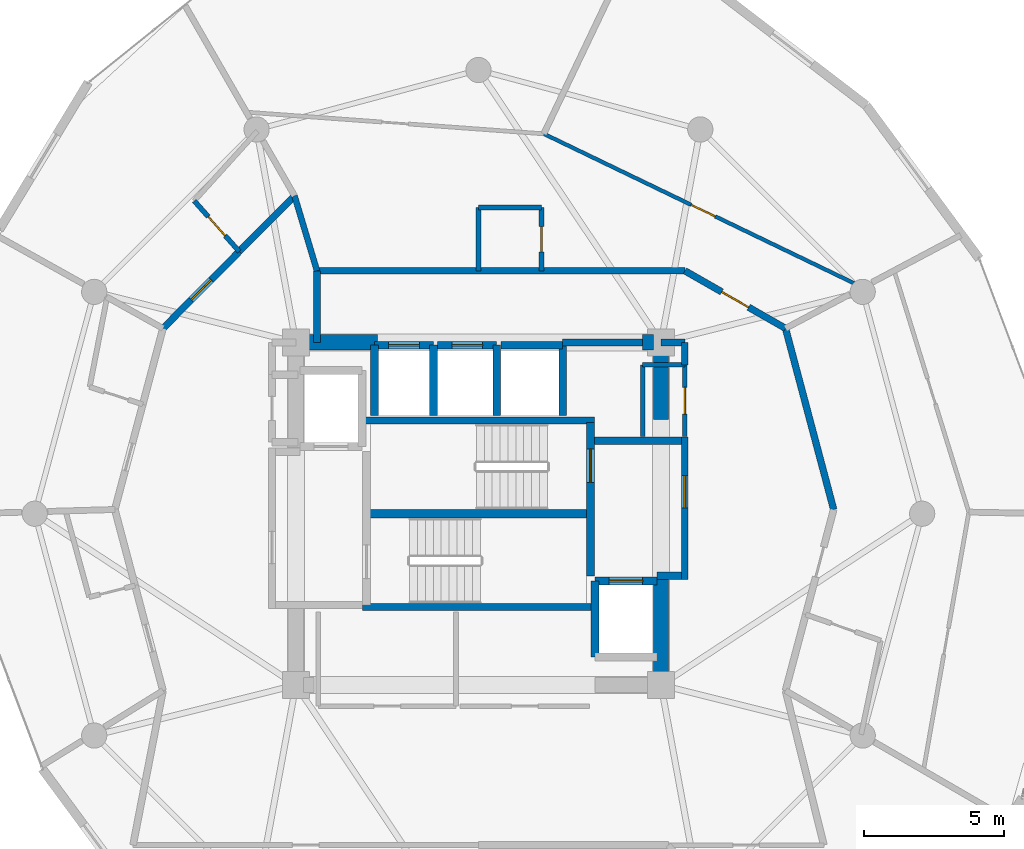
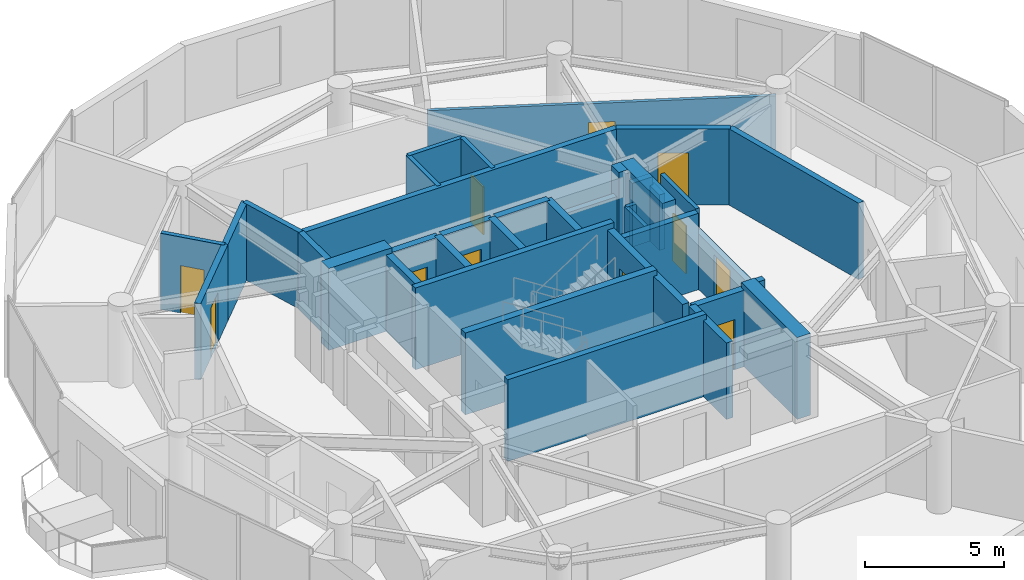
# One storey, part 17 of 20: 38 walls, 11 doors, 11 openings.
"""IFC4 building model written with IfcOpenShell, lengths in metres."""

import ifcopenshell
import ifcopenshell.guid

model = None  # the IFC model being written
_history = None  # IfcOwnerHistory: only IFC2X3 demands one
_inside = {}  # id of a spatial element -> (the spatial element, [elements in it])
_under = {}  # id of a project, library or spatial element -> (it, [spatial elements below it])
_declared = {}  # id of a project -> (the project, [libraries it declares])
_typed = {}  # id of a type object -> (the type object, [elements of that type])
_made_of = {}  # id of a material, layer set ... -> (it, [elements and type objects made of it])


def new_model(schema):
    """Start an empty IFC model of exactly this schema.

    Asked for "IFC4X3", IfcOpenShell would pick the latest addendum, in which some entities
    have other attributes; the version numbers below select the first issue.
    IFC2X3 requires an IfcOwnerHistory on every rooted entity: one is made here for all.
    """
    global model, _history
    if schema == "IFC4X3":
        model = ifcopenshell.file(schema_version=(4, 3, 0, 0))
    else:
        model = ifcopenshell.file(schema=schema)
    _inside.clear()
    _under.clear()
    _declared.clear()
    _typed.clear()
    _made_of.clear()
    _history = None
    if model.schema == "IFC2X3":
        org = make("IfcOrganization", Name="unknown")
        user = make(
            "IfcPersonAndOrganization",
            ThePerson=make("IfcPerson", FamilyName="unknown"),
            TheOrganization=org,
        )
        app = make(
            "IfcApplication",
            ApplicationDeveloper=org,
            Version="unknown",
            ApplicationFullName="unknown",
            ApplicationIdentifier="unknown",
        )
        _history = make(
            "IfcOwnerHistory",
            OwningUser=user,
            OwningApplication=app,
            ChangeAction="ADDED",
            CreationDate=0,
        )
    return model


def make(cls, **values):
    """One entity of the class cls with the attributes given. An attribute that is None is left unset."""
    return model.create_entity(
        cls, **{name: value for name, value in values.items() if value is not None}
    )


def rooted(cls, **values):
    """An entity with a GlobalId (a new one), such as an element, a storey or a relation."""
    return make(cls, GlobalId=ifcopenshell.guid.new(), OwnerHistory=_history, **values)


def si_unit(unit_type, name, prefix=None):
    """IfcSIUnit, for example si_unit("LENGTHUNIT", "METRE", prefix="MILLI")."""
    return make("IfcSIUnit", UnitType=unit_type, Prefix=prefix, Name=name)


def assignment(units):
    """IfcUnitAssignment: the units of a project."""
    return None if units is None else make("IfcUnitAssignment", Units=units)


def point(xyz):
    """IfcCartesianPoint."""
    return None if xyz is None else make("IfcCartesianPoint", Coordinates=xyz)


def direction(xyz):
    """IfcDirection."""
    return None if xyz is None else make("IfcDirection", DirectionRatios=xyz)


def frame(location, z_axis=None, x_axis=None):
    """IfcAxis2Placement3D, a coordinate frame: its origin and axes. An axis left out is left unset."""
    return make(
        "IfcAxis2Placement3D",
        Location=point(location),
        Axis=direction(z_axis),
        RefDirection=direction(x_axis),
    )


def frame_2d(location, x_axis=None):
    """IfcAxis2Placement2D, a coordinate frame in the plane: its origin and x axis."""
    return make(
        "IfcAxis2Placement2D", Location=point(location), RefDirection=direction(x_axis)
    )


def origin():
    """The frame at (0, 0, 0) with its axes left unset."""
    return frame((0.0, 0.0, 0.0))


def place(relative_to, where):
    """IfcLocalPlacement: puts the frame where relative to a parent placement (None: the world)."""
    return make(
        "IfcLocalPlacement", PlacementRelTo=relative_to, RelativePlacement=where
    )


def context(
    kind, dimensions, precision=None, world=None, true_north=None, identifier=None
):
    """IfcGeometricRepresentationContext, for example the 3D "Model" context."""
    return make(
        "IfcGeometricRepresentationContext",
        ContextIdentifier=identifier,
        ContextType=kind,
        CoordinateSpaceDimension=dimensions,
        Precision=precision,
        WorldCoordinateSystem=world,
        TrueNorth=true_north,
    )


def subcontext(parent, identifier, kind, view, scale=None):
    """IfcGeometricRepresentationSubContext, for example "Body" below "Model"."""
    return make(
        "IfcGeometricRepresentationSubContext",
        ContextIdentifier=identifier,
        ContextType=kind,
        ParentContext=parent,
        TargetScale=scale,
        TargetView=view,
    )


def project(units=None, contexts=None):
    """IfcProject with its units and contexts."""
    return rooted(
        "IfcProject",
        Name="project",
        RepresentationContexts=contexts,
        UnitsInContext=assignment(units),
    )


def spatial(cls, under=None, at=None, **own):
    """A site, building, storey or space (cls), placed at a placement, below another one or the project."""
    s = rooted(cls, ObjectPlacement=at, **own)
    if under is not None:
        _under.setdefault(under.id(), (under, []))[1].append(s)
    return s


def profile(cls, at=None, kind="AREA", **sizes):
    """A parametric profile (cls). Its sizes go by their IFC names, for example OverallWidth=200.0."""
    return make(cls, ProfileType=kind, Position=at, **sizes)


def rectangle(**sizes):
    """IfcRectangleProfileDef."""
    return profile("IfcRectangleProfileDef", **sizes)


def extrude(swept, where, along, depth):
    """IfcExtrudedAreaSolid: the profile swept, set in the frame where, extruded along a direction by depth."""
    return make(
        "IfcExtrudedAreaSolid",
        SweptArea=swept,
        Position=where,
        ExtrudedDirection=direction(along),
        Depth=depth,
    )


def shape(context_of_items, identifier, shape_type, items):
    """IfcShapeRepresentation: the items that make up one representation, for example the "Body"."""
    return make(
        "IfcShapeRepresentation",
        ContextOfItems=context_of_items,
        RepresentationIdentifier=identifier,
        RepresentationType=shape_type,
        Items=items,
    )


def material(Name=None, Category=None):
    """IfcMaterial."""
    return make("IfcMaterial", Name=Name, Category=Category)


def layer(
    of_material, thickness, ventilated=None, Name=None, Category=None, Priority=None
):
    """IfcMaterialLayer: one layer of a wall or slab, of a material (None: an air gap)."""
    return make(
        "IfcMaterialLayer",
        Material=of_material,
        LayerThickness=thickness,
        IsVentilated=ventilated,
        Name=Name,
        Category=Category,
        Priority=Priority,
    )


def layer_set(layers, Name=None):
    """IfcMaterialLayerSet."""
    return make("IfcMaterialLayerSet", MaterialLayers=layers, LayerSetName=Name)


def made_of(thing, what):
    """Note that an element or type object is made of a material, layer set ...; save() writes the relation."""
    if what is not None:
        _made_of.setdefault(what.id(), (what, []))[1].append(thing)
    return thing


def type_object(cls, material=None, **own):
    """A type object (cls), such as IfcWallType, which elements share."""
    return made_of(rooted(cls, **own), material)


def element(
    cls,
    number,
    at=None,
    inside=None,
    cuts=None,
    type_object=None,
    material=None,
    context=None,
    identifier="Body",
    shape_type=None,
    held_by="IfcProductDefinitionShape",
    body=None,
    shapes=None,
    **own,
):
    """One element of the class cls, such as IfcWall. Its Tag is "e" and its number.

    at: its placement. inside: the storey or other place that contains it. cuts: it is an
    opening in that element (IfcRelVoidsElement). A single representation is given by context,
    identifier, shape_type and body (its items); several are given by shapes. held_by: the class
    of the entity that holds the representations. save() writes the other relations.
    """
    e = rooted(cls, Tag="e%d" % number, ObjectPlacement=at, **own)
    if body is not None:
        shapes = [shape(context, identifier, shape_type, body)]
    if shapes is not None:
        e.Representation = make(held_by, Representations=shapes)
    if inside is not None:
        _inside.setdefault(inside.id(), (inside, []))[1].append(e)
    if cuts is not None:
        rooted(
            "IfcRelVoidsElement", RelatingBuildingElement=cuts, RelatedOpeningElement=e
        )
    if type_object is not None:
        _typed.setdefault(type_object.id(), (type_object, []))[1].append(e)
    return made_of(e, material)


def fill(opening, filler):
    """IfcRelFillsElement: the door or window that sits in an opening."""
    return rooted(
        "IfcRelFillsElement",
        RelatingOpeningElement=opening,
        RelatedBuildingElement=filler,
    )


def aggregate(whole, parts):
    """IfcRelAggregates: a whole, such as a stair, and the parts it consists of."""
    return rooted("IfcRelAggregates", RelatingObject=whole, RelatedObjects=parts)


def save(model, path):
    """Write the relations noted so far, then the file.

    IfcRelAggregates (storeys below a building ...), IfcRelContainedInSpatialStructure (elements
    in a storey), IfcRelDefinesByType, IfcRelAssociatesMaterial and IfcRelDeclares: one each for
    every whole, place, type object, material and project.
    """
    for whole, parts in _under.values():
        aggregate(whole, parts)
    for where, things in _inside.values():
        rooted(
            "IfcRelContainedInSpatialStructure",
            RelatedElements=things,
            RelatingStructure=where,
        )
    for kind, things in _typed.values():
        rooted("IfcRelDefinesByType", RelatedObjects=things, RelatingType=kind)
    for what, things in _made_of.values():
        rooted("IfcRelAssociatesMaterial", RelatedObjects=things, RelatingMaterial=what)
    for by, libraries in _declared.values():
        rooted("IfcRelDeclares", RelatingContext=by, RelatedDefinitions=libraries)
    model.write(path)


model = new_model("IFC4")

# Units and contexts
model_context = context("Model", 3, precision=1e-05, world=origin(), true_north=direction((0.0, 1.0)))
body_context = subcontext(model_context, "Body", "Model", "MODEL_VIEW")
ifc_project = project(units=[si_unit("LENGTHUNIT", "METRE"), si_unit("AREAUNIT", "SQUARE_METRE"), si_unit("VOLUMEUNIT", "CUBIC_METRE"), si_unit("PLANEANGLEUNIT", "RADIAN"), si_unit("MASSUNIT", "GRAM", prefix="KILO")], contexts=[model_context])

# Site, building, storey
site_placement = place(None, origin())
site = spatial("IfcSite", under=ifc_project, at=site_placement, CompositionType="ELEMENT")
building_placement = place(site_placement, origin())
building = spatial("IfcBuilding", under=site, at=building_placement, Name="Solvirekh Grand Hotel", CompositionType="ELEMENT")
storey_placement = place(building_placement, frame((0.0, 0.0, 194.800048828125)))
storey = spatial("IfcBuildingStorey", under=building, at=storey_placement, Name="L50", CompositionType="ELEMENT", Elevation=194.800048828125)

# Walls
ifc_material_1 = material(Name="Concrete C50/60", Category="concrete")
ifc_layer_1 = layer(ifc_material_1, 0.35009765625)
ifc_layer_set_1 = layer_set([ifc_layer_1], Name="Concrete C50/60")
wall_type_1 = type_object("IfcWallType", Name="CoreDivWall_RC350", PredefinedType="SOLIDWALL", material=ifc_layer_set_1)
for number, where, z_axis, x_axis, name in (
    (1, (-4.1298828125, -3.324951171875, 0.0), (0.0, 0.0, 1.0), (1.0, 0.0, 0.0), "L50 core stair box wall ST-S"),
    (2, (-4.1298828125, 3.324951171875, 0.0), (0.0, 0.0, 1.0), (1.0, 0.0, 0.0), "L50 core stair box wall ST-N"),
):
    element("IfcWall", number, at=place(storey_placement, frame(where, z_axis=z_axis, x_axis=x_axis)), inside=storey, type_object=wall_type_1, Name=name, PredefinedType="SOLIDWALL", context=body_context, shape_type="SweptSolid", body=[
        extrude(rectangle(XDim=8.259765625, YDim=0.25, at=frame_2d((4.1298828125, 0.0))), origin(), (0.0, 0.0, 1.0), 3.599853515625),
    ])

# Wall, opening, door
ifc_material_2 = material(Name="Concrete C40/50", Category="concrete")
ifc_layer_2 = layer(ifc_material_2, 0.280029296875)
ifc_layer_set_2 = layer_set([ifc_layer_2], Name="Concrete C40/50")
wall_type_2 = type_object("IfcWallType", Name="CoreShaftWall_RC280", PredefinedType="SOLIDWALL", material=ifc_layer_set_2)
wall_1_placement = place(storey_placement, frame((-1.60009765625, 6.0, 0.0), z_axis=(0.0, 0.0, 1.0), x_axis=(-1.0, 0.0, 0.0)))
wall_1 = element("IfcWall", 3, at=wall_1_placement, inside=storey, type_object=wall_type_2, Name="L50 HP-1 hoistway N wall", PredefinedType="SOLIDWALL", context=body_context, shape_type="SweptSolid", body=[
    extrude(rectangle(XDim=2.099853515625, YDim=0.280029296875, at=frame_2d((1.0498046875, 0.0))), origin(), (0.0, 0.0, 1.0), 3.35986328125),
])
opening_1_placement = place(wall_1_placement, frame((0.5, 0.0, 0.0)))
opening_1 = element("IfcOpeningElement", 4, at=opening_1_placement, cuts=wall_1, Name="Opening LD01", PredefinedType="OPENING", context=body_context, shape_type="SweptSolid", body=[
    extrude(rectangle(XDim=1.10009765625, YDim=2.199951171875, at=frame_2d((0.550048828125, 1.10009765625))), frame((0.0, 0.14990234375, 0.0), z_axis=(0.0, -1.0, 0.0), x_axis=(1.0, 0.0, 0.0)), (0.0, 0.0, 1.0), 0.300048828125),
])
ifc_material_3 = material(Name="Fire-Rated Steel Door Assembly", Category="steel")
door_type_1 = type_object("IfcDoorType", Name="Door_LiftLanding_1100X2200", OperationType="SLIDING_TO_LEFT", PredefinedType="DOOR", material=ifc_material_3)
door_1_placement = place(opening_1_placement, origin())
door_1 = element("IfcDoor", 5, at=door_1_placement, inside=storey, type_object=door_type_1, Name="L50 HP-1 sliding lift landing door", OperationType="SLIDING_TO_LEFT", OverallHeight=2.199951171875, OverallWidth=1.10009765625, PredefinedType="DOOR", context=body_context, shape_type="SweptSolid", body=[
    extrude(rectangle(XDim=1.10009765625, YDim=2.199951171875, at=frame_2d((0.550048828125, 1.10009765625))), frame((0.0, 0.02490234375, 0.0), z_axis=(0.0, -1.0, 0.0), x_axis=(1.0, 0.0, 0.0)), (0.0, 0.0, 1.0), 0.050048828125),
])
fill(opening_1, door_1)

# Walls
for number, where, z_axis, x_axis, name in (
    (6, (-3.699951171875, 6.0, 0.0), (0.0, 0.0, 1.0), (0.0, -1.0, 0.0), "L50 HP-1 hoistway W wall"),
    (7, (-1.60009765625, 3.5, 0.0), (0.0, 0.0, 1.0), (0.0, 1.0, 0.0), "L50 HP-1 hoistway E wall"),
):
    element("IfcWall", number, at=place(storey_placement, frame(where, z_axis=z_axis, x_axis=x_axis)), inside=storey, type_object=wall_type_2, Name=name, PredefinedType="SOLIDWALL", context=body_context, shape_type="SweptSolid", body=[
        extrude(rectangle(XDim=2.5, YDim=0.280029296875, at=frame_2d((1.25, 0.0))), origin(), (0.0, 0.0, 1.0), 3.35986328125),
    ])

# Wall, opening, door
wall_2_placement = place(storey_placement, frame((0.64990234375, 6.0, 0.0), z_axis=(0.0, 0.0, 1.0), x_axis=(-1.0, 0.0, 0.0)))
wall_2 = element("IfcWall", 8, at=wall_2_placement, inside=storey, type_object=wall_type_2, Name="L50 HP-2 hoistway N wall", PredefinedType="SOLIDWALL", context=body_context, shape_type="SweptSolid", body=[
    extrude(rectangle(XDim=2.099853515625, YDim=0.280029296875, at=frame_2d((1.0498046875, 0.0))), origin(), (0.0, 0.0, 1.0), 3.35986328125),
])
opening_2_placement = place(wall_2_placement, frame((0.5, 0.0, 0.0)))
opening_2 = element("IfcOpeningElement", 9, at=opening_2_placement, cuts=wall_2, Name="Opening LD01", PredefinedType="OPENING", context=body_context, shape_type="SweptSolid", body=[
    extrude(rectangle(XDim=1.10009765625, YDim=2.199951171875, at=frame_2d((0.550048828125, 1.10009765625))), frame((0.0, 0.14990234375, 0.0), z_axis=(0.0, -1.0, 0.0), x_axis=(1.0, 0.0, 0.0)), (0.0, 0.0, 1.0), 0.300048828125),
])
door_2_placement = place(opening_2_placement, origin())
door_2 = element("IfcDoor", 10, at=door_2_placement, inside=storey, type_object=door_type_1, Name="L50 HP-2 sliding lift landing door", OperationType="SLIDING_TO_LEFT", OverallHeight=2.199951171875, OverallWidth=1.10009765625, PredefinedType="DOOR", context=body_context, shape_type="SweptSolid", body=[
    extrude(rectangle(XDim=1.10009765625, YDim=2.199951171875, at=frame_2d((0.550048828125, 1.10009765625))), frame((0.0, 0.02490234375, 0.0), z_axis=(0.0, -1.0, 0.0), x_axis=(1.0, 0.0, 0.0)), (0.0, 0.0, 1.0), 0.050048828125),
])
fill(opening_2, door_2)

# Walls
wall_3_placement = place(storey_placement, frame((0.64990234375, 3.5, 0.0), z_axis=(0.0, 0.0, 1.0), x_axis=(0.0, 1.0, 0.0)))
element("IfcWall", 11, at=wall_3_placement, inside=storey, type_object=wall_type_2, Name="L50 HP-2 hoistway E wall", PredefinedType="SOLIDWALL", context=body_context, shape_type="SweptSolid", body=[
    extrude(rectangle(XDim=2.5, YDim=0.280029296875, at=frame_2d((1.25, 0.0))), origin(), (0.0, 0.0, 1.0), 3.35986328125),
])
wall_4_placement = place(storey_placement, frame((3.0, 6.0, 0.0), z_axis=(0.0, 0.0, 1.0), x_axis=(-1.0, 0.0, 0.0)))
element("IfcWall", 12, at=wall_4_placement, inside=storey, type_object=wall_type_2, Name="L50 EX-1 hoistway N wall", PredefinedType="SOLIDWALL", context=body_context, shape_type="SweptSolid", body=[
    extrude(rectangle(XDim=2.199951171875, YDim=0.280029296875, at=frame_2d((1.10009765625, 0.0))), origin(), (0.0, 0.0, 1.0), 3.35986328125),
])
wall_5_placement = place(storey_placement, frame((3.0, 3.5, 0.0), z_axis=(0.0, 0.0, 1.0), x_axis=(0.0, 1.0, 0.0)))
element("IfcWall", 13, at=wall_5_placement, inside=storey, type_object=wall_type_2, Name="L50 EX-1 hoistway E wall", PredefinedType="SOLIDWALL", context=body_context, shape_type="SweptSolid", body=[
    extrude(rectangle(XDim=2.5, YDim=0.280029296875, at=frame_2d((1.25, 0.0))), origin(), (0.0, 0.0, 1.0), 3.35986328125),
])

# Wall, opening, door
wall_6_placement = place(storey_placement, frame((6.35009765625, -2.39990234375, 0.0), z_axis=(0.0, 0.0, 1.0), x_axis=(-1.0, 0.0, 0.0)))
wall_6 = element("IfcWall", 14, at=wall_6_placement, inside=storey, type_object=wall_type_2, Name="L50 FL-2 hoistway N wall", PredefinedType="SOLIDWALL", context=body_context, shape_type="SweptSolid", body=[
    extrude(rectangle(XDim=2.2001953125, YDim=0.280029296875, at=frame_2d((1.10009765625, 0.0))), origin(), (0.0, 0.0, 1.0), 3.35986328125),
])
opening_3_placement = place(wall_6_placement, frame((0.5, 0.0, 0.0)))
opening_3 = element("IfcOpeningElement", 15, at=opening_3_placement, cuts=wall_6, Name="Opening LD02", PredefinedType="OPENING", context=body_context, shape_type="SweptSolid", body=[
    extrude(rectangle(XDim=1.199951171875, YDim=2.199951171875, at=frame_2d((0.60009765625, 1.10009765625))), frame((0.0, 0.14990234375, 0.0), z_axis=(0.0, -1.0, 0.0), x_axis=(1.0, 0.0, 0.0)), (0.0, 0.0, 1.0), 0.300048828125),
])
door_type_2 = type_object("IfcDoorType", Name="Door_LiftFF_1200X2200", OperationType="SLIDING_TO_LEFT", PredefinedType="DOOR", material=ifc_material_3)
door_3_placement = place(opening_3_placement, origin())
door_3 = element("IfcDoor", 16, at=door_3_placement, inside=storey, type_object=door_type_2, Name="L50 FL-2 sliding lift landing door", OperationType="SLIDING_TO_LEFT", OverallHeight=2.199951171875, OverallWidth=1.199951171875, PredefinedType="DOOR", context=body_context, shape_type="SweptSolid", body=[
    extrude(rectangle(XDim=1.199951171875, YDim=2.199951171875, at=frame_2d((0.60009765625, 1.10009765625))), frame((0.0, 0.02490234375, 0.0), z_axis=(0.0, -1.0, 0.0), x_axis=(1.0, 0.0, 0.0)), (0.0, 0.0, 1.0), 0.050048828125),
])
fill(opening_3, door_3)

# Wall
wall_7_placement = place(storey_placement, frame((4.14990234375, -2.39990234375, 0.0), z_axis=(0.0, 0.0, 1.0), x_axis=(0.0, -1.0, 0.0)))
element("IfcWall", 17, at=wall_7_placement, inside=storey, type_object=wall_type_2, Name="L50 FL-2 hoistway W wall", PredefinedType="SOLIDWALL", context=body_context, shape_type="SweptSolid", body=[
    extrude(rectangle(XDim=2.7001953125, YDim=0.280029296875, at=frame_2d((1.35009765625, 0.0))), origin(), (0.0, 0.0, 1.0), 3.35986328125),
])

# Wall, opening, door
wall_8_placement = place(storey_placement, frame((3.989990234375, -2.2099609375, 0.0), z_axis=(0.0, 0.0, 1.0), x_axis=(0.0, 1.0, 0.0)))
wall_8 = element("IfcWall", 18, at=wall_8_placement, inside=storey, type_object=wall_type_2, Name="L50 east stair landing enclosure wall", PredefinedType="SOLIDWALL", context=body_context, shape_type="SweptSolid", body=[
    extrude(rectangle(XDim=5.4599609375, YDim=0.280029296875, at=frame_2d((2.72998046875, 0.0))), origin(), (0.0, 0.0, 1.0), 3.35986328125),
])
opening_4_placement = place(wall_8_placement, frame((3.322998046875, 0.0, 0.0)))
opening_4 = element("IfcOpeningElement", 19, at=opening_4_placement, cuts=wall_8, Name="Opening D05", PredefinedType="OPENING", context=body_context, shape_type="SweptSolid", body=[
    extrude(rectangle(XDim=1.199951171875, YDim=2.199951171875, at=frame_2d((0.60009765625, 1.10009765625))), frame((0.0, 0.14990234375, 0.0), z_axis=(0.0, -1.0, 0.0), x_axis=(1.0, 0.0, 0.0)), (0.0, 0.0, 1.0), 0.300048828125),
])
door_type_3 = type_object("IfcDoorType", Name="Door_StairCore_1200X2200", OperationType="NOTDEFINED", PredefinedType="DOOR", material=ifc_material_3)
door_4_placement = place(opening_4_placement, origin())
door_4 = element("IfcDoor", 20, at=door_4_placement, inside=storey, type_object=door_type_3, Name="L50 exit stair ST-2 fire door", OperationType="SINGLE_SWING_LEFT", OverallHeight=2.199951171875, OverallWidth=1.199951171875, PredefinedType="DOOR", context=body_context, shape_type="SweptSolid", body=[
    extrude(rectangle(XDim=1.199951171875, YDim=2.199951171875, at=frame_2d((0.60009765625, 1.10009765625))), frame((0.0, 0.02490234375, 0.0), z_axis=(0.0, -1.0, 0.0), x_axis=(1.0, 0.0, 0.0)), (0.0, 0.0, 1.0), 0.050048828125),
])
fill(opening_4, door_4)

# Walls
ifc_layer_3 = layer(ifc_material_1, 0.550048828125)
ifc_layer_set_3 = layer_set([ifc_layer_3], Name="Concrete C50/60")
wall_type_3 = type_object("IfcWallType", Name="CoreWall_RC550", PredefinedType="SHEAR", material=ifc_layer_set_3)
wall_9_placement = place(storey_placement, frame((-3.989990234375, 0.0, 0.0), z_axis=(0.0, 0.0, 1.0), x_axis=(1.0, 0.0, 0.0)))
element("IfcWall", 21, at=wall_9_placement, inside=storey, type_object=wall_type_3, Name="L50 central stair-spine shear wall", PredefinedType="SHEAR", context=body_context, shape_type="SweptSolid", body=[
    extrude(rectangle(XDim=7.97998046875, YDim=0.300048828125, at=frame_2d((3.989990234375, 0.0))), origin(), (0.0, 0.0, 1.0), 3.599853515625),
])
wall_10_placement = place(storey_placement, frame((-6.22509765625, 6.10009765625, 0.0), z_axis=(0.0, 0.0, 1.0), x_axis=(1.0, 0.0, 0.0)))
element("IfcWall", 22, at=wall_10_placement, inside=storey, type_object=wall_type_3, Name="L50 core corner shear wall NW-N", PredefinedType="SHEAR", context=body_context, shape_type="SweptSolid", body=[
    extrude(rectangle(XDim=2.625, YDim=0.550048828125, at=frame_2d((1.3125, 0.0))), origin(), (0.0, 0.0, 1.0), 3.599853515625),
])
wall_11_placement = place(storey_placement, frame((5.85009765625, 6.10009765625, 0.0), z_axis=(0.0, 0.0, 1.0), x_axis=(1.0, 0.0, 0.0)))
element("IfcWall", 23, at=wall_11_placement, inside=storey, type_object=wall_type_3, Name="L50 core corner shear wall NE-N", PredefinedType="SHEAR", context=body_context, shape_type="SweptSolid", body=[
    extrude(rectangle(XDim=0.375, YDim=0.550048828125, at=frame_2d((0.1875, 0.0))), origin(), (0.0, 0.0, 1.0), 3.599853515625),
])
wall_12_placement = place(storey_placement, frame((6.5, -6.375, 0.0), z_axis=(0.0, 0.0, 1.0), x_axis=(0.0, 1.0, 0.0)))
element("IfcWall", 24, at=wall_12_placement, inside=storey, type_object=wall_type_3, Name="L50 core corner shear wall ES-E", PredefinedType="SHEAR", context=body_context, shape_type="SweptSolid", body=[
    extrude(rectangle(XDim=4.02490234375, YDim=0.550048828125, at=frame_2d((2.012451171875, 0.0))), origin(), (0.0, 0.0, 1.0), 3.599853515625),
])
wall_13_placement = place(storey_placement, frame((6.5, 3.35009765625, 0.0), z_axis=(0.0, 0.0, 1.0), x_axis=(0.0, 1.0, 0.0)))
element("IfcWall", 25, at=wall_13_placement, inside=storey, type_object=wall_type_3, Name="L50 core corner shear wall EN-E", PredefinedType="SHEAR", context=body_context, shape_type="SweptSolid", body=[
    extrude(rectangle(XDim=3.02490234375, YDim=0.550048828125, at=frame_2d((1.512451171875, 0.0))), origin(), (0.0, 0.0, 1.0), 3.599853515625),
])

# Wall, opening, door
ifc_material_4 = material(Name="Acoustic Gypsum Partition Assembly")
ifc_layer_4 = layer(ifc_material_4, 0.1650390625)
ifc_layer_set_4 = layer_set([ifc_layer_4], Name="Acoustic Gypsum Partition Assembly")
wall_type_4 = type_object("IfcWallType", Name="Part_BOH_165", PredefinedType="PARTITIONING", material=ifc_layer_set_4)
wall_14_placement = place(storey_placement, frame((7.35009765625, 2.75, 0.0), z_axis=(0.0, 0.0, 1.0), x_axis=(0.0, 1.0, 0.0)))
wall_14 = element("IfcWall", 26, at=wall_14_placement, inside=storey, type_object=wall_type_4, Name="L50 L50 Core Housekeeping & Linen Room wall 2", PredefinedType="PARTITIONING", context=body_context, shape_type="SweptSolid", body=[
    extrude(rectangle(XDim=2.550048828125, YDim=0.1650390625, at=frame_2d((1.27490234375, 0.0))), origin(), (0.0, 0.0, 1.0), 3.35986328125),
])
opening_5_placement = place(wall_14_placement, frame((0.800048828125, 0.0, 0.0)))
opening_5 = element("IfcOpeningElement", 27, at=opening_5_placement, cuts=wall_14, Name="Opening D10", PredefinedType="OPENING", context=body_context, shape_type="SweptSolid", body=[
    extrude(rectangle(XDim=0.949951171875, YDim=2.10009765625, at=frame_2d((0.47509765625, 1.050048828125))), frame((0.0, 0.092529296875, 0.0), z_axis=(0.0, -1.0, 0.0), x_axis=(1.0, 0.0, 0.0)), (0.0, 0.0, 1.0), 0.18505859375),
])
ifc_material_5 = material(Name="Anodized Bronze Aluminium 6063-T6", Category="aluminium")
door_type_4 = type_object("IfcDoorType", Name="Door_RoomInt_950X2100", OperationType="NOTDEFINED", PredefinedType="DOOR", material=ifc_material_5)
door_5_placement = place(opening_5_placement, origin())
door_5 = element("IfcDoor", 28, at=door_5_placement, inside=storey, type_object=door_type_4, Name="L50 L50 Core Housekeeping & Linen Room door", OperationType="SINGLE_SWING_LEFT", OverallHeight=2.10009765625, OverallWidth=0.949951171875, PredefinedType="DOOR", context=body_context, shape_type="SweptSolid", body=[
    extrude(rectangle(XDim=0.949951171875, YDim=2.10009765625, at=frame_2d((0.47509765625, 1.050048828125))), frame((0.0, 0.02490234375, 0.0), z_axis=(0.0, -1.0, 0.0), x_axis=(1.0, 0.0, 0.0)), (0.0, 0.0, 1.0), 0.050048828125),
])
fill(opening_5, door_5)

# Walls
wall_15_placement = place(storey_placement, frame((7.35009765625, 5.300048828125, 0.0), z_axis=(0.0, 0.0, 1.0), x_axis=(-1.0, 0.0, 0.0)))
element("IfcWall", 29, at=wall_15_placement, inside=storey, type_object=wall_type_4, Name="L50 L50 Core Housekeeping & Linen Room wall 3", PredefinedType="PARTITIONING", context=body_context, shape_type="SweptSolid", body=[
    extrude(rectangle(XDim=1.5, YDim=0.1650390625, at=frame_2d((0.75, 0.0))), origin(), (0.0, 0.0, 1.0), 2.445068359375),
])
wall_16_placement = place(storey_placement, frame((5.85009765625, 5.300048828125, 0.0), z_axis=(0.0, 0.0, 1.0), x_axis=(0.0, -1.0, 0.0)))
element("IfcWall", 30, at=wall_16_placement, inside=storey, type_object=wall_type_4, Name="L50 L50 Core Housekeeping & Linen Room wall 4", PredefinedType="PARTITIONING", context=body_context, shape_type="SweptSolid", body=[
    extrude(rectangle(XDim=2.550048828125, YDim=0.1650390625, at=frame_2d((1.27490234375, 0.0))), origin(), (0.0, 0.0, 1.0), 2.445068359375),
])

# Wall, opening, door
ifc_layer_5 = layer(ifc_material_4, 0.239990234375)
ifc_layer_set_5 = layer_set([ifc_layer_5], Name="Acoustic Gypsum Partition Assembly")
wall_type_5 = type_object("IfcWallType", Name="Part_Corridor_240", PredefinedType="PARTITIONING", material=ifc_layer_set_5)
wall_17_placement = place(storey_placement, frame((7.35009765625, -2.340087890625, 0.0), z_axis=(0.0, 0.0, 1.0), x_axis=(0.0, 1.0, 0.0)))
wall_17 = element("IfcWall", 31, at=wall_17_placement, inside=storey, type_object=wall_type_5, Name="L50 east firefighting lobby smoke screen wall", PredefinedType="PARTITIONING", context=body_context, shape_type="SweptSolid", body=[
    extrude(rectangle(XDim=5.070068359375, YDim=0.239990234375, at=frame_2d((2.53515625, 0.0))), origin(), (0.0, 0.0, 1.0), 2.445068359375),
])
opening_6_placement = place(wall_17_placement, frame((2.548095703125, 0.0, 0.0)))
opening_6 = element("IfcOpeningElement", 32, at=opening_6_placement, cuts=wall_17, Name="Opening D06", PredefinedType="OPENING", context=body_context, shape_type="SweptSolid", body=[
    extrude(rectangle(XDim=1.14990234375, YDim=2.199951171875, at=frame_2d((0.574951171875, 1.10009765625))), frame((0.0, 0.1298828125, 0.0), z_axis=(0.0, -1.0, 0.0), x_axis=(1.0, 0.0, 0.0)), (0.0, 0.0, 1.0), 0.260009765625),
])
door_type_5 = type_object("IfcDoorType", Name="Door_FFLobby_1150X2200", OperationType="NOTDEFINED", PredefinedType="DOOR", material=ifc_material_3)
door_6_placement = place(opening_6_placement, origin())
door_6 = element("IfcDoor", 33, at=door_6_placement, inside=storey, type_object=door_type_5, Name="L50 east firefighting lobby smoke door", OperationType="SINGLE_SWING_LEFT", OverallHeight=2.199951171875, OverallWidth=1.14990234375, PredefinedType="DOOR", context=body_context, shape_type="SweptSolid", body=[
    extrude(rectangle(XDim=1.14990234375, YDim=2.199951171875, at=frame_2d((0.574951171875, 1.10009765625))), frame((0.0, 0.02490234375, 0.0), z_axis=(0.0, -1.0, 0.0), x_axis=(1.0, 0.0, 0.0)), (0.0, 0.0, 1.0), 0.050048828125),
])
fill(opening_6, door_6)

# Walls
wall_18_placement = place(storey_placement, frame((-5.75, 8.64990234375, 0.0), z_axis=(0.0, 0.0, 1.0), x_axis=(1.0, 0.0, 0.0)))
element("IfcWall", 34, at=wall_18_placement, inside=storey, type_object=wall_type_5, Name="L50 north lift lobby enclosure wall", PredefinedType="PARTITIONING", context=body_context, shape_type="SweptSolid", body=[
    extrude(rectangle(XDim=13.10009765625, YDim=0.239990234375, at=frame_2d((6.550048828125, 0.0))), origin(), (0.0, 0.0, 1.0), 3.35986328125),
])
wall_19_placement = place(storey_placement, frame((3.0, 6.10009765625, 0.0), z_axis=(0.0, 0.0, 1.0), x_axis=(1.0, 0.0, 0.0)))
element("IfcWall", 35, at=wall_19_placement, inside=storey, type_object=wall_type_5, Name="L50 north core shaft infill wall", PredefinedType="PARTITIONING", context=body_context, shape_type="SweptSolid", body=[
    extrude(rectangle(XDim=2.85009765625, YDim=0.239990234375, at=frame_2d((1.425048828125, 0.0))), origin(), (0.0, 0.0, 1.0), 2.445068359375),
])
wall_20_placement = place(storey_placement, frame((7.35009765625, 5.300048828125, 0.0), z_axis=(0.0, 0.0, 1.0), x_axis=(0.0, 1.0, 0.0)))
element("IfcWall", 36, at=wall_20_placement, inside=storey, type_object=wall_type_5, Name="L50 NE core cheek closure wall", PredefinedType="PARTITIONING", context=body_context, shape_type="SweptSolid", body=[
    extrude(rectangle(XDim=0.800048828125, YDim=0.239990234375, at=frame_2d((0.39990234375, 0.0))), origin(), (0.0, 0.0, 1.0), 2.445068359375),
])
wall_21_placement = place(storey_placement, frame((6.5, 6.10009765625, 0.0), z_axis=(0.0, 0.0, 1.0), x_axis=(1.0, 0.0, 0.0)))
element("IfcWall", 37, at=wall_21_placement, inside=storey, type_object=wall_type_5, Name="L50 NE core corner tie wall", PredefinedType="PARTITIONING", context=body_context, shape_type="SweptSolid", body=[
    extrude(rectangle(XDim=0.85009765625, YDim=0.239990234375, at=frame_2d((0.425048828125, 0.0))), origin(), (0.0, 0.0, 1.0), 2.801025390625),
])
wall_22_placement = place(storey_placement, frame((-5.75, 6.10009765625, 0.0), z_axis=(0.0, 0.0, 1.0), x_axis=(0.0, 1.0, 0.0)))
element("IfcWall", 38, at=wall_22_placement, inside=storey, type_object=wall_type_5, Name="L50 north lift lobby west wall", PredefinedType="PARTITIONING", context=body_context, shape_type="SweptSolid", body=[
    extrude(rectangle(XDim=2.5498046875, YDim=0.239990234375, at=frame_2d((1.27490234375, 0.0))), origin(), (0.0, 0.0, 1.0), 3.35986328125),
])

# Wall, opening, door
wall_23_placement = place(storey_placement, frame((7.35009765625, 8.64990234375, 0.0), z_axis=(0.0, 0.0, 1.0), x_axis=(0.868112139229, -0.496368123193, 0.0)))
wall_23 = element("IfcWall", 39, at=wall_23_placement, inside=storey, type_object=wall_type_5, Name="L50 Panorama Suite 5201 Inner Suite Lounge entrance wall", PredefinedType="PARTITIONING", context=body_context, shape_type="SweptSolid", body=[
    extrude(rectangle(XDim=4.129638671875, YDim=0.239990234375, at=frame_2d((2.06494140625, 0.0))), origin(), (0.0, 0.0, 1.0), 3.35986328125),
])
opening_7_placement = place(wall_23_placement, frame((1.514892578125, 0.0, 0.0)))
opening_7 = element("IfcOpeningElement", 40, at=opening_7_placement, cuts=wall_23, Name="Opening D08", PredefinedType="OPENING", context=body_context, shape_type="SweptSolid", body=[
    extrude(rectangle(XDim=1.10009765625, YDim=2.300048828125, at=frame_2d((0.550048828125, 1.14990234375))), frame((0.0, 0.1298828125, 0.0), z_axis=(0.0, -1.0, 0.0), x_axis=(1.0, 0.0, 0.0)), (0.0, 0.0, 1.0), 0.260009765625),
])
door_type_6 = type_object("IfcDoorType", Name="Door_SuiteEntry_1100X2300", OperationType="NOTDEFINED", PredefinedType="DOOR", material=ifc_material_3)
door_7_placement = place(opening_7_placement, origin())
door_7 = element("IfcDoor", 41, at=door_7_placement, inside=storey, type_object=door_type_6, Name="L50 Panorama Suite 5201 Inner Suite Lounge entrance door", OperationType="SINGLE_SWING_LEFT", OverallHeight=2.300048828125, OverallWidth=1.10009765625, PredefinedType="DOOR", context=body_context, shape_type="SweptSolid", body=[
    extrude(rectangle(XDim=1.10009765625, YDim=2.300048828125, at=frame_2d((0.550048828125, 1.14990234375))), frame((0.0, 0.02490234375, 0.0), z_axis=(0.0, -1.0, 0.0), x_axis=(1.0, 0.0, 0.0)), (0.0, 0.0, 1.0), 0.050048828125),
])
fill(opening_7, door_7)

# Wall
wall_24_placement = place(storey_placement, frame((-6.550048828125, 11.322021484375, 0.0), z_axis=(0.0, 0.0, 1.0), x_axis=(-0.704436417235, -0.709767098472, 0.0)))
element("IfcWall", 42, at=wall_24_placement, inside=storey, type_object=wall_type_5, Name="L50 En-suite Bathroom 5202 corridor backing wall", PredefinedType="PARTITIONING", context=body_context, shape_type="SweptSolid", body=[
    extrude(rectangle(XDim=2.793701171875, YDim=0.239990234375, at=frame_2d((1.39697265625, 0.0))), origin(), (0.0, 0.0, 1.0), 3.35986328125),
])

# Wall, opening, door
wall_25_placement = place(storey_placement, frame((-8.51806640625, 9.339111328125, 0.0), z_axis=(0.0, 0.0, 1.0), x_axis=(-0.7042534056, -0.70994868878, 0.0)))
wall_25 = element("IfcWall", 43, at=wall_25_placement, inside=storey, type_object=wall_type_5, Name="L50 Deluxe Guestroom 5202 entrance wall", PredefinedType="PARTITIONING", context=body_context, shape_type="SweptSolid", body=[
    extrude(rectangle(XDim=3.858154296875, YDim=0.239990234375, at=frame_2d((1.92919921875, 0.0))), origin(), (0.0, 0.0, 1.0), 3.35986328125),
])
opening_8_placement = place(wall_25_placement, frame((1.428955078125, 0.0, 0.0)))
opening_8 = element("IfcOpeningElement", 44, at=opening_8_placement, cuts=wall_25, Name="Opening D07", PredefinedType="OPENING", context=body_context, shape_type="SweptSolid", body=[
    extrude(rectangle(XDim=1.0, YDim=2.199951171875, at=frame_2d((0.5, 1.10009765625))), frame((0.0, 0.1298828125, 0.0), z_axis=(0.0, -1.0, 0.0), x_axis=(1.0, 0.0, 0.0)), (0.0, 0.0, 1.0), 0.260009765625),
])
door_type_7 = type_object("IfcDoorType", Name="Door_GuestEntry_1000X2200", OperationType="NOTDEFINED", PredefinedType="DOOR", material=ifc_material_3)
door_8_placement = place(opening_8_placement, origin())
door_8 = element("IfcDoor", 45, at=door_8_placement, inside=storey, type_object=door_type_7, Name="L50 Deluxe Guestroom 5202 entrance door", OperationType="SINGLE_SWING_LEFT", OverallHeight=2.199951171875, OverallWidth=1.0, PredefinedType="DOOR", context=body_context, shape_type="SweptSolid", body=[
    extrude(rectangle(XDim=1.0, YDim=2.199951171875, at=frame_2d((0.5, 1.10009765625))), frame((0.0, 0.02490234375, 0.0), z_axis=(0.0, -1.0, 0.0), x_axis=(1.0, 0.0, 0.0)), (0.0, 0.0, 1.0), 0.050048828125),
])
fill(opening_8, door_8)

# Walls
wall_26_placement = place(storey_placement, frame((12.64990234375, 0.14990234375, 0.0), z_axis=(0.0, 0.0, 1.0), x_axis=(-0.256934024047, 0.966428945804, 0.0)))
element("IfcWall", 46, at=wall_26_placement, inside=storey, type_object=wall_type_5, Name="L50 Executive Suite 5205 Living Room corridor wall 1", PredefinedType="PARTITIONING", context=body_context, shape_type="SweptSolid", body=[
    extrude(rectangle(XDim=6.67431640625, YDim=0.239990234375, at=frame_2d((3.337158203125, 0.0))), origin(), (0.0, 0.0, 1.0), 3.35986328125),
])
ifc_layer_6 = layer(ifc_material_4, 0.260009765625)
ifc_layer_set_6 = layer_set([ifc_layer_6], Name="Acoustic Gypsum Partition Assembly")
wall_type_6 = type_object("IfcWallType", Name="Part_LobbyFF_260", PredefinedType="PARTITIONING", material=ifc_layer_set_6)
wall_27_placement = place(storey_placement, frame((6.35009765625, -2.2099609375, 0.0), z_axis=(0.0, 0.0, 1.0), x_axis=(1.0, 0.0, 0.0)))
element("IfcWall", 47, at=wall_27_placement, inside=storey, type_object=wall_type_6, Name="L50 east firefighting lobby SE cheek", PredefinedType="PARTITIONING", context=body_context, shape_type="SweptSolid", body=[
    extrude(rectangle(XDim=0.875, YDim=0.260009765625, at=frame_2d((0.4375, 0.0))), origin(), (0.0, 0.0, 1.0), 3.35986328125),
])
wall_28_placement = place(storey_placement, frame((4.1298828125, 2.60009765625, 0.0), z_axis=(0.0, 0.0, 1.0), x_axis=(1.0, 0.0, 0.0)))
element("IfcWall", 48, at=wall_28_placement, inside=storey, type_object=wall_type_6, Name="L50 east firefighting lobby north partition", PredefinedType="PARTITIONING", context=body_context, shape_type="SweptSolid", body=[
    extrude(rectangle(XDim=3.09521484375, YDim=0.260009765625, at=frame_2d((1.547607421875, 0.0))), origin(), (0.0, 0.0, 1.0), 3.35986328125),
])

# Wall, opening, door
ifc_layer_7 = layer(ifc_material_4, 0.135009765625)
ifc_layer_set_7 = layer_set([ifc_layer_7], Name="Acoustic Gypsum Partition Assembly")
wall_type_7 = type_object("IfcWallType", Name="Part_RoomInt_135", PredefinedType="PARTITIONING", material=ifc_layer_set_7)
wall_29_placement = place(storey_placement, frame((2.326904296875, 13.528076171875, 0.0), z_axis=(0.0, 0.0, 1.0), x_axis=(0.900917232422, -0.433990944981, 0.0)))
wall_29 = element("IfcWall", 49, at=wall_29_placement, inside=storey, type_object=wall_type_7, Name="L50 Panorama Suite 5201 North Sitting Room bedroom screen wall", PredefinedType="PARTITIONING", context=body_context, shape_type="SweptSolid", body=[
    extrude(rectangle(XDim=12.6015625, YDim=0.135009765625, at=frame_2d((6.30078125, 0.0))), origin(), (0.0, 0.0, 1.0), 2.928955078125),
])
opening_9_placement = place(wall_29_placement, frame((5.825927734375, 0.0, 0.0)))
opening_9 = element("IfcOpeningElement", 50, at=opening_9_placement, cuts=wall_29, Name="Opening D10", PredefinedType="OPENING", context=body_context, shape_type="SweptSolid", body=[
    extrude(rectangle(XDim=0.949951171875, YDim=2.10009765625, at=frame_2d((0.47509765625, 1.050048828125))), frame((0.0, 0.07763671875, 0.0), z_axis=(0.0, -1.0, 0.0), x_axis=(1.0, 0.0, 0.0)), (0.0, 0.0, 1.0), 0.155029296875),
])
door_9_placement = place(opening_9_placement, origin())
door_9 = element("IfcDoor", 51, at=door_9_placement, inside=storey, type_object=door_type_4, Name="L50 Panorama Suite 5201 North Sitting Room master bedroom door", OperationType="SINGLE_SWING_RIGHT", OverallHeight=2.10009765625, OverallWidth=0.949951171875, PredefinedType="DOOR", context=body_context, shape_type="SweptSolid", body=[
    extrude(rectangle(XDim=0.949951171875, YDim=2.10009765625, at=frame_2d((0.47509765625, 1.050048828125))), frame((0.0, 0.02490234375, 0.0), z_axis=(0.0, -1.0, 0.0), x_axis=(1.0, 0.0, 0.0)), (0.0, 0.0, 1.0), 0.050048828125),
])
fill(opening_9, door_9)

# Walls
ifc_layer_8 = layer(ifc_material_4, 0.2099609375)
ifc_layer_set_8 = layer_set([ifc_layer_8], Name="Acoustic Gypsum Partition Assembly")
wall_type_8 = type_object("IfcWallType", Name="Part_SuiteDemise_210", PredefinedType="PARTITIONING", material=ifc_layer_set_8)
wall_30_placement = place(storey_placement, frame((-6.550048828125, 11.322021484375, 0.0), z_axis=(0.0, 0.0, 1.0), x_axis=(0.286825893059, -0.957982727961, 0.0)))
element("IfcWall", 52, at=wall_30_placement, inside=storey, type_object=wall_type_8, Name="L50 Panorama Suite 5201 Inner Suite Lounge dividing partition 1", PredefinedType="PARTITIONING", context=body_context, shape_type="SweptSolid", body=[
    extrude(rectangle(XDim=2.789306640625, YDim=0.2099609375, at=frame_2d((1.39453125, 0.0))), origin(), (0.0, 0.0, 1.0), 3.35986328125),
])
ifc_layer_9 = layer(ifc_material_4, 0.175048828125)
ifc_layer_set_9 = layer_set([ifc_layer_9], Name="Acoustic Gypsum Partition Assembly")
wall_type_9 = type_object("IfcWallType", Name="Plumb_Ensuite_175", PredefinedType="PLUMBINGWALL", material=ifc_layer_set_9)
for number, where, z_axis, x_axis, name in (
    (53, (0.0, 10.89990234375, 0.0), (0.0, 0.0, 1.0), (1.0, 0.0, 0.0), "L50 En-suite Bathroom 5201 outer plumbing wall"),
    (54, (0.0, 10.89990234375, 0.0), (0.0, 0.0, 1.0), (0.0, -1.0, 0.0), "L50 En-suite Bathroom 5201 side plumbing wall"),
):
    element("IfcWall", number, at=place(storey_placement, frame(where, z_axis=z_axis, x_axis=x_axis)), inside=storey, type_object=wall_type_9, Name=name, PredefinedType="PLUMBINGWALL", context=body_context, shape_type="SweptSolid", body=[
        extrude(rectangle(XDim=2.25, YDim=0.175048828125, at=frame_2d((1.125, 0.0))), origin(), (0.0, 0.0, 1.0), 3.35986328125),
    ])

# Wall, opening, door
wall_31_placement = place(storey_placement, frame((2.25, 8.64990234375, 0.0), z_axis=(0.0, 0.0, 1.0), x_axis=(0.0, 1.0, 0.0)))
wall_31 = element("IfcWall", 55, at=wall_31_placement, inside=storey, type_object=wall_type_9, Name="L50 En-suite Bathroom 5201 entry plumbing wall", PredefinedType="PLUMBINGWALL", context=body_context, shape_type="SweptSolid", body=[
    extrude(rectangle(XDim=2.25, YDim=0.175048828125, at=frame_2d((1.125, 0.0))), origin(), (0.0, 0.0, 1.0), 3.35986328125),
])
opening_10_placement = place(wall_31_placement, frame((0.675048828125, 0.0, 0.0)))
opening_10 = element("IfcOpeningElement", 56, at=opening_10_placement, cuts=wall_31, Name="Opening D09", PredefinedType="OPENING", context=body_context, shape_type="SweptSolid", body=[
    extrude(rectangle(XDim=0.89990234375, YDim=2.10009765625, at=frame_2d((0.449951171875, 1.050048828125))), frame((0.0, 0.09765625, 0.0), z_axis=(0.0, -1.0, 0.0), x_axis=(1.0, 0.0, 0.0)), (0.0, 0.0, 1.0), 0.195068359375),
])
door_type_8 = type_object("IfcDoorType", Name="Door_Ensuite_900X2100", OperationType="NOTDEFINED", PredefinedType="DOOR", material=ifc_material_5)
door_10_placement = place(opening_10_placement, origin())
door_10 = element("IfcDoor", 57, at=door_10_placement, inside=storey, type_object=door_type_8, Name="L50 En-suite Bathroom 5201 door", OperationType="SINGLE_SWING_RIGHT", OverallHeight=2.10009765625, OverallWidth=0.89990234375, PredefinedType="DOOR", context=body_context, shape_type="SweptSolid", body=[
    extrude(rectangle(XDim=0.89990234375, YDim=2.10009765625, at=frame_2d((0.449951171875, 1.050048828125))), frame((0.0, 0.02490234375, 0.0), z_axis=(0.0, -1.0, 0.0), x_axis=(1.0, 0.0, 0.0)), (0.0, 0.0, 1.0), 0.050048828125),
])
fill(opening_10, door_10)

wall_32_placement = place(storey_placement, frame((-8.51806640625, 9.339111328125, 0.0), z_axis=(0.0, 0.0, 1.0), x_axis=(-0.66490420922, 0.746928639538, 0.0)))
wall_32 = element("IfcWall", 58, at=wall_32_placement, inside=storey, type_object=wall_type_9, Name="L50 En-suite Bathroom 5202 entry plumbing wall", PredefinedType="PLUMBINGWALL", context=body_context, shape_type="SweptSolid", body=[
    extrude(rectangle(XDim=2.410888671875, YDim=0.175048828125, at=frame_2d((1.20556640625, 0.0))), origin(), (0.0, 0.0, 1.0), 3.35986328125),
])
opening_11_placement = place(wall_32_placement, frame((0.756103515625, 0.0, 0.0)))
opening_11 = element("IfcOpeningElement", 59, at=opening_11_placement, cuts=wall_32, Name="Opening D09", PredefinedType="OPENING", context=body_context, shape_type="SweptSolid", body=[
    extrude(rectangle(XDim=0.89990234375, YDim=2.10009765625, at=frame_2d((0.449951171875, 1.050048828125))), frame((0.0, 0.09765625, 0.0), z_axis=(0.0, -1.0, 0.0), x_axis=(1.0, 0.0, 0.0)), (0.0, 0.0, 1.0), 0.195068359375),
])
door_11_placement = place(opening_11_placement, origin())
door_11 = element("IfcDoor", 60, at=door_11_placement, inside=storey, type_object=door_type_8, Name="L50 En-suite Bathroom 5202 door", OperationType="SINGLE_SWING_RIGHT", OverallHeight=2.10009765625, OverallWidth=0.89990234375, PredefinedType="DOOR", context=body_context, shape_type="SweptSolid", body=[
    extrude(rectangle(XDim=0.89990234375, YDim=2.10009765625, at=frame_2d((0.449951171875, 1.050048828125))), frame((0.0, 0.02490234375, 0.0), z_axis=(0.0, -1.0, 0.0), x_axis=(1.0, 0.0, 0.0)), (0.0, 0.0, 1.0), 0.050048828125),
])
fill(opening_11, door_11)

save(model, "model.ifc")
